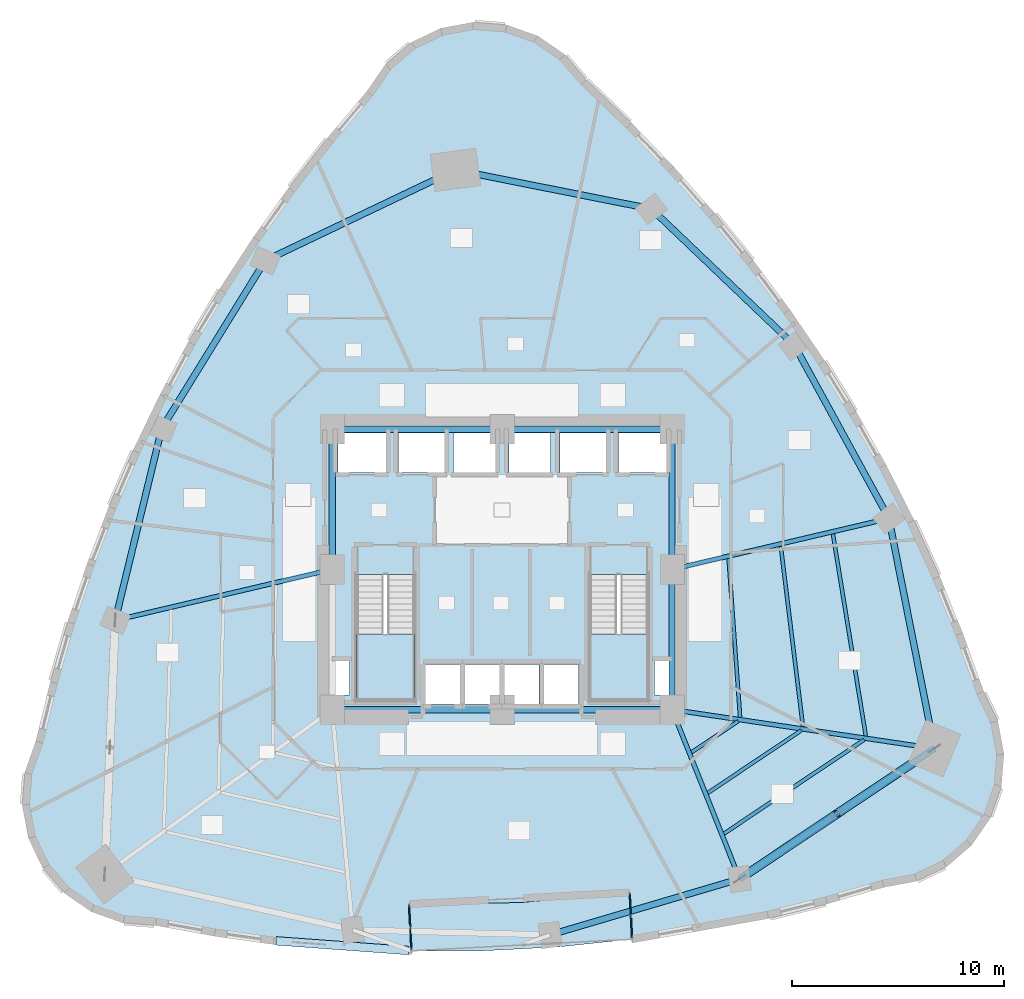
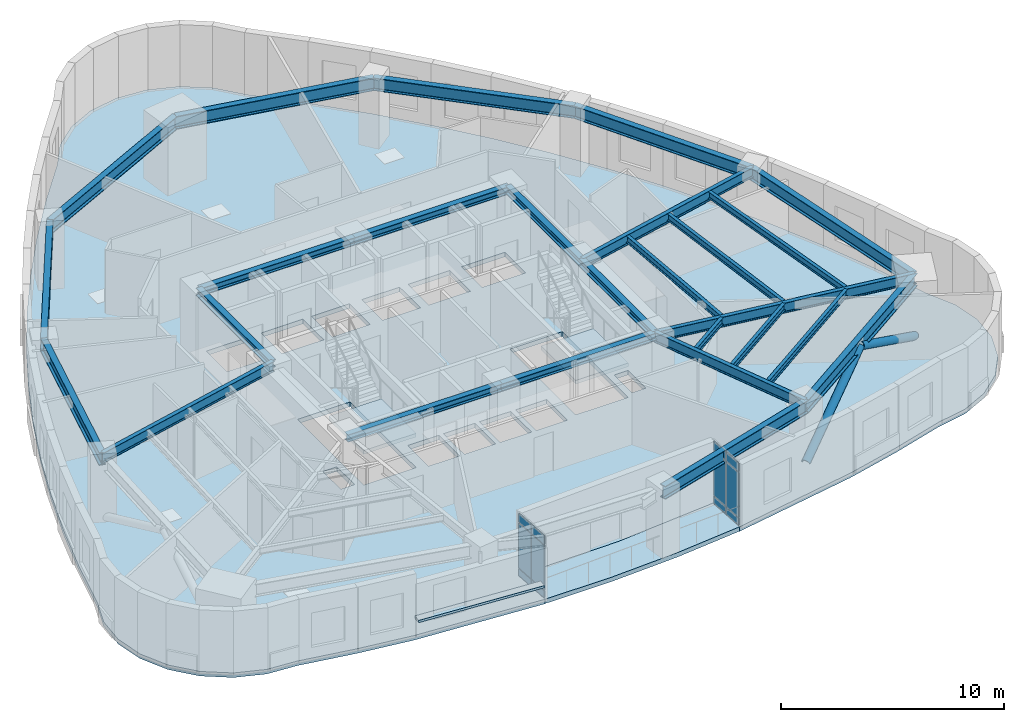
# One storey, part 3 of 11: 26 beams, 13 plates, 4 slabs, 2 members, 4 elements without a shape of their own.
"""IFC4 building model written with IfcOpenShell, lengths in metres."""

import ifcopenshell
import ifcopenshell.guid

model = None  # the IFC model being written
_history = None  # IfcOwnerHistory: only IFC2X3 demands one
_inside = {}  # id of a spatial element -> (the spatial element, [elements in it])
_under = {}  # id of a project, library or spatial element -> (it, [spatial elements below it])
_declared = {}  # id of a project -> (the project, [libraries it declares])
_typed = {}  # id of a type object -> (the type object, [elements of that type])
_made_of = {}  # id of a material, layer set ... -> (it, [elements and type objects made of it])


def new_model(schema):
    """Start an empty IFC model of exactly this schema.

    Asked for "IFC4X3", IfcOpenShell would pick the latest addendum, in which some entities
    have other attributes; the version numbers below select the first issue.
    IFC2X3 requires an IfcOwnerHistory on every rooted entity: one is made here for all.
    """
    global model, _history
    if schema == "IFC4X3":
        model = ifcopenshell.file(schema_version=(4, 3, 0, 0))
    else:
        model = ifcopenshell.file(schema=schema)
    _inside.clear()
    _under.clear()
    _declared.clear()
    _typed.clear()
    _made_of.clear()
    _history = None
    if model.schema == "IFC2X3":
        org = make("IfcOrganization", Name="unknown")
        user = make(
            "IfcPersonAndOrganization",
            ThePerson=make("IfcPerson", FamilyName="unknown"),
            TheOrganization=org,
        )
        app = make(
            "IfcApplication",
            ApplicationDeveloper=org,
            Version="unknown",
            ApplicationFullName="unknown",
            ApplicationIdentifier="unknown",
        )
        _history = make(
            "IfcOwnerHistory",
            OwningUser=user,
            OwningApplication=app,
            ChangeAction="ADDED",
            CreationDate=0,
        )
    return model


def make(cls, **values):
    """One entity of the class cls with the attributes given. An attribute that is None is left unset."""
    return model.create_entity(
        cls, **{name: value for name, value in values.items() if value is not None}
    )


def rooted(cls, **values):
    """An entity with a GlobalId (a new one), such as an element, a storey or a relation."""
    return make(cls, GlobalId=ifcopenshell.guid.new(), OwnerHistory=_history, **values)


def si_unit(unit_type, name, prefix=None):
    """IfcSIUnit, for example si_unit("LENGTHUNIT", "METRE", prefix="MILLI")."""
    return make("IfcSIUnit", UnitType=unit_type, Prefix=prefix, Name=name)


def assignment(units):
    """IfcUnitAssignment: the units of a project."""
    return None if units is None else make("IfcUnitAssignment", Units=units)


def point(xyz):
    """IfcCartesianPoint."""
    return None if xyz is None else make("IfcCartesianPoint", Coordinates=xyz)


def direction(xyz):
    """IfcDirection."""
    return None if xyz is None else make("IfcDirection", DirectionRatios=xyz)


def frame(location, z_axis=None, x_axis=None):
    """IfcAxis2Placement3D, a coordinate frame: its origin and axes. An axis left out is left unset."""
    return make(
        "IfcAxis2Placement3D",
        Location=point(location),
        Axis=direction(z_axis),
        RefDirection=direction(x_axis),
    )


def frame_2d(location, x_axis=None):
    """IfcAxis2Placement2D, a coordinate frame in the plane: its origin and x axis."""
    return make(
        "IfcAxis2Placement2D", Location=point(location), RefDirection=direction(x_axis)
    )


def origin():
    """The frame at (0, 0, 0) with its axes left unset."""
    return frame((0.0, 0.0, 0.0))


def origin_2d():
    """The frame at (0, 0) in the plane with its x axis left unset."""
    return frame_2d((0.0, 0.0))


def place(relative_to, where):
    """IfcLocalPlacement: puts the frame where relative to a parent placement (None: the world)."""
    return make(
        "IfcLocalPlacement", PlacementRelTo=relative_to, RelativePlacement=where
    )


def context(
    kind, dimensions, precision=None, world=None, true_north=None, identifier=None
):
    """IfcGeometricRepresentationContext, for example the 3D "Model" context."""
    return make(
        "IfcGeometricRepresentationContext",
        ContextIdentifier=identifier,
        ContextType=kind,
        CoordinateSpaceDimension=dimensions,
        Precision=precision,
        WorldCoordinateSystem=world,
        TrueNorth=true_north,
    )


def subcontext(parent, identifier, kind, view, scale=None):
    """IfcGeometricRepresentationSubContext, for example "Body" below "Model"."""
    return make(
        "IfcGeometricRepresentationSubContext",
        ContextIdentifier=identifier,
        ContextType=kind,
        ParentContext=parent,
        TargetScale=scale,
        TargetView=view,
    )


def project(units=None, contexts=None):
    """IfcProject with its units and contexts."""
    return rooted(
        "IfcProject",
        Name="project",
        RepresentationContexts=contexts,
        UnitsInContext=assignment(units),
    )


def spatial(cls, under=None, at=None, **own):
    """A site, building, storey or space (cls), placed at a placement, below another one or the project."""
    s = rooted(cls, ObjectPlacement=at, **own)
    if under is not None:
        _under.setdefault(under.id(), (under, []))[1].append(s)
    return s


def polyline(points):
    """IfcPolyline through the points."""
    return make("IfcPolyline", Points=[point(p) for p in points])


def profile(cls, at=None, kind="AREA", **sizes):
    """A parametric profile (cls). Its sizes go by their IFC names, for example OverallWidth=200.0."""
    return make(cls, ProfileType=kind, Position=at, **sizes)


def rectangle(**sizes):
    """IfcRectangleProfileDef."""
    return profile("IfcRectangleProfileDef", **sizes)


def hollow_circle(**sizes):
    """IfcCircleHollowProfileDef."""
    return profile("IfcCircleHollowProfileDef", **sizes)


def i_section(**sizes):
    """IfcIShapeProfileDef."""
    return profile("IfcIShapeProfileDef", **sizes)


def outline(outer, holes=None, kind="AREA"):
    """IfcArbitraryClosedProfileDef: a profile drawn as a closed curve; with holes, ...WithVoids."""
    if holes is None:
        return make("IfcArbitraryClosedProfileDef", ProfileType=kind, OuterCurve=outer)
    return make(
        "IfcArbitraryProfileDefWithVoids",
        ProfileType=kind,
        OuterCurve=outer,
        InnerCurves=holes,
    )


def extrude(swept, where, along, depth):
    """IfcExtrudedAreaSolid: the profile swept, set in the frame where, extruded along a direction by depth."""
    return make(
        "IfcExtrudedAreaSolid",
        SweptArea=swept,
        Position=where,
        ExtrudedDirection=direction(along),
        Depth=depth,
    )


def shape(context_of_items, identifier, shape_type, items):
    """IfcShapeRepresentation: the items that make up one representation, for example the "Body"."""
    return make(
        "IfcShapeRepresentation",
        ContextOfItems=context_of_items,
        RepresentationIdentifier=identifier,
        RepresentationType=shape_type,
        Items=items,
    )


def material(Name=None, Category=None):
    """IfcMaterial."""
    return make("IfcMaterial", Name=Name, Category=Category)


def layer(
    of_material, thickness, ventilated=None, Name=None, Category=None, Priority=None
):
    """IfcMaterialLayer: one layer of a wall or slab, of a material (None: an air gap)."""
    return make(
        "IfcMaterialLayer",
        Material=of_material,
        LayerThickness=thickness,
        IsVentilated=ventilated,
        Name=Name,
        Category=Category,
        Priority=Priority,
    )


def layer_set(layers, Name=None):
    """IfcMaterialLayerSet."""
    return make("IfcMaterialLayerSet", MaterialLayers=layers, LayerSetName=Name)


def material_profile(
    of_material, cross_section, Name=None, Category=None, Priority=None
):
    """IfcMaterialProfile: a cross section and its material."""
    return make(
        "IfcMaterialProfile",
        Name=Name,
        Material=of_material,
        Profile=cross_section,
        Priority=Priority,
        Category=Category,
    )


def profile_set(profiles, Name=None, composite=None):
    """IfcMaterialProfileSet."""
    return make(
        "IfcMaterialProfileSet",
        Name=Name,
        MaterialProfiles=profiles,
        CompositeProfile=composite,
    )


def made_of(thing, what):
    """Note that an element or type object is made of a material, layer set ...; save() writes the relation."""
    if what is not None:
        _made_of.setdefault(what.id(), (what, []))[1].append(thing)
    return thing


def type_object(cls, material=None, **own):
    """A type object (cls), such as IfcWallType, which elements share."""
    return made_of(rooted(cls, **own), material)


def element(
    cls,
    number,
    at=None,
    inside=None,
    cuts=None,
    type_object=None,
    material=None,
    context=None,
    identifier="Body",
    shape_type=None,
    held_by="IfcProductDefinitionShape",
    body=None,
    shapes=None,
    **own,
):
    """One element of the class cls, such as IfcWall. Its Tag is "e" and its number.

    at: its placement. inside: the storey or other place that contains it. cuts: it is an
    opening in that element (IfcRelVoidsElement). A single representation is given by context,
    identifier, shape_type and body (its items); several are given by shapes. held_by: the class
    of the entity that holds the representations. save() writes the other relations.
    """
    e = rooted(cls, Tag="e%d" % number, ObjectPlacement=at, **own)
    if body is not None:
        shapes = [shape(context, identifier, shape_type, body)]
    if shapes is not None:
        e.Representation = make(held_by, Representations=shapes)
    if inside is not None:
        _inside.setdefault(inside.id(), (inside, []))[1].append(e)
    if cuts is not None:
        rooted(
            "IfcRelVoidsElement", RelatingBuildingElement=cuts, RelatedOpeningElement=e
        )
    if type_object is not None:
        _typed.setdefault(type_object.id(), (type_object, []))[1].append(e)
    return made_of(e, material)


def aggregate(whole, parts):
    """IfcRelAggregates: a whole, such as a stair, and the parts it consists of."""
    return rooted("IfcRelAggregates", RelatingObject=whole, RelatedObjects=parts)


def save(model, path):
    """Write the relations noted so far, then the file.

    IfcRelAggregates (storeys below a building ...), IfcRelContainedInSpatialStructure (elements
    in a storey), IfcRelDefinesByType, IfcRelAssociatesMaterial and IfcRelDeclares: one each for
    every whole, place, type object, material and project.
    """
    for whole, parts in _under.values():
        aggregate(whole, parts)
    for where, things in _inside.values():
        rooted(
            "IfcRelContainedInSpatialStructure",
            RelatedElements=things,
            RelatingStructure=where,
        )
    for kind, things in _typed.values():
        rooted("IfcRelDefinesByType", RelatedObjects=things, RelatingType=kind)
    for what, things in _made_of.values():
        rooted("IfcRelAssociatesMaterial", RelatedObjects=things, RelatingMaterial=what)
    for by, libraries in _declared.values():
        rooted("IfcRelDeclares", RelatingContext=by, RelatedDefinitions=libraries)
    model.write(path)


model = new_model("IFC4")

# Units and contexts
model_context = context("Model", 3, precision=1e-05, world=origin(), true_north=direction((0.0, 1.0)))
body_context = subcontext(model_context, "Body", "Model", "MODEL_VIEW")
ifc_project = project(units=[si_unit("LENGTHUNIT", "METRE"), si_unit("AREAUNIT", "SQUARE_METRE"), si_unit("VOLUMEUNIT", "CUBIC_METRE"), si_unit("PLANEANGLEUNIT", "RADIAN"), si_unit("MASSUNIT", "GRAM", prefix="KILO")], contexts=[model_context])

# Site, building, storey
site_placement = place(None, origin())
site = spatial("IfcSite", under=ifc_project, at=site_placement, CompositionType="ELEMENT")
building_placement = place(site_placement, origin())
building = spatial("IfcBuilding", under=site, at=building_placement, Name="Ndelora Gate Hotel", CompositionType="ELEMENT")
storey_placement = place(building_placement, frame((0.0, 0.0, 49.25)))
storey = spatial("IfcBuildingStorey", under=building, at=storey_placement, Name="L11", CompositionType="ELEMENT", Elevation=49.25)

# Beams
ifc_material_1 = material(Name="Steel S355", Category="steel")
ifc_material_profile_1 = material_profile(ifc_material_1, i_section(OverallWidth=0.300048828125, OverallDepth=0.39990234375, WebThickness=0.013427734375, FlangeThickness=0.02392578125, FilletRadius=0.027099609375, at=origin_2d()), Name="HEB 400")
ifc_profile_set_1 = profile_set([ifc_material_profile_1], Name="Steel S355")
beam_type_1 = type_object("IfcBeamType", Name="BM-CORE-400", PredefinedType="BEAM", material=ifc_profile_set_1)
for number, where, z_axis, x_axis, name in (
    (1, (-8.0, 6.60009765625, 3.300048828125), (1.0, 0.0, 0.0), (0.0, 1.0, 0.0), "L11 Core Tie Girder CC7-CC6"),
    (2, (0.0, 6.60009765625, 3.300048828125), (1.0, 0.0, 0.0), (0.0, 1.0, 0.0), "L11 Core Tie Girder CC6-CC5"),
):
    element("IfcBeam", number, at=place(storey_placement, frame(where, z_axis=z_axis, x_axis=x_axis)), inside=storey, type_object=beam_type_1, Name=name, PredefinedType="BEAM", context=body_context, shape_type="SweptSolid", body=[
        extrude(i_section(OverallWidth=0.300048828125, OverallDepth=0.39990234375, WebThickness=0.013427734375, FlangeThickness=0.02392578125, FilletRadius=0.027099609375, at=origin_2d()), origin(), (0.0, 0.0, 1.0), 8.0),
    ])
for number, where, z_axis, x_axis, name in (
    (3, (-8.0, 0.0, 3.300048828125), (0.0, 1.0, 0.0), (-1.0, 0.0, 0.0), "L11 Core Tie Girder CC8-CC7"),
    (4, (8.0, -6.60009765625, 3.300048828125), (0.0, 1.0, 0.0), (-1.0, 0.0, 0.0), "L11 Core Tie Girder CC3-CC4"),
    (5, (8.0, 0.0, 3.300048828125), (0.0, 1.0, 0.0), (-1.0, 0.0, 0.0), "L11 Core Tie Girder CC4-CC5"),
):
    element("IfcBeam", number, at=place(storey_placement, frame(where, z_axis=z_axis, x_axis=x_axis)), inside=storey, type_object=beam_type_1, Name=name, PredefinedType="BEAM", context=body_context, shape_type="SweptSolid", body=[
        extrude(i_section(OverallWidth=0.300048828125, OverallDepth=0.39990234375, WebThickness=0.013427734375, FlangeThickness=0.02392578125, FilletRadius=0.027099609375, at=origin_2d()), origin(), (0.0, 0.0, 1.0), 6.60009765625),
    ])
for number, where, z_axis, x_axis, name in (
    (6, (-8.0, -6.60009765625, 3.300048828125), (1.0, 0.0, 0.0), (0.0, 1.0, 0.0), "L11 Core Tie Girder CC1-CC2"),
    (7, (0.0, -6.60009765625, 3.300048828125), (1.0, 0.0, 0.0), (0.0, 1.0, 0.0), "L11 Core Tie Girder CC2-CC3"),
):
    element("IfcBeam", number, at=place(storey_placement, frame(where, z_axis=z_axis, x_axis=x_axis)), inside=storey, type_object=beam_type_1, Name=name, PredefinedType="BEAM", context=body_context, shape_type="SweptSolid", body=[
        extrude(i_section(OverallWidth=0.300048828125, OverallDepth=0.39990234375, WebThickness=0.013427734375, FlangeThickness=0.02392578125, FilletRadius=0.027099609375, at=origin_2d()), origin(), (0.0, 0.0, 1.0), 8.0),
    ])
ifc_material_profile_2 = material_profile(ifc_material_1, i_section(OverallWidth=0.169921875, OverallDepth=0.360107421875, WebThickness=0.008056640625, FlangeThickness=0.0126953125, FilletRadius=0.01806640625, at=origin_2d()), Name="IPE 360")
ifc_profile_set_2 = profile_set([ifc_material_profile_2], Name="Steel S355")
beam_type_2 = type_object("IfcBeamType", Name="BM-JST-360", PredefinedType="JOIST", material=ifc_profile_set_2)
beam_1_placement = place(storey_placement, frame((8.922119140625, -8.608154296875, 3.320068359375), z_axis=(0.830952990267, 0.556342635402, 0.0), x_axis=(-0.556342635402, 0.830952990267, 0.0)))
element("IfcBeam", 8, at=beam_1_placement, inside=storey, type_object=beam_type_2, Name="L11 Secondary Composite Floor Joist IN-8", PredefinedType="JOIST", context=body_context, shape_type="SweptSolid", body=[
    extrude(i_section(OverallWidth=0.169921875, OverallDepth=0.360107421875, WebThickness=0.008056640625, FlangeThickness=0.0126953125, FilletRadius=0.01806640625, at=origin_2d()), origin(), (0.0, 0.0, 1.0), 2.6396484375),
])
beam_2_placement = place(storey_placement, frame((9.685302734375, -10.520751953125, 3.320068359375), z_axis=(0.83093347578, 0.556371781121, 0.0), x_axis=(-0.556371781121, 0.83093347578, 0.0)))
element("IfcBeam", 9, at=beam_2_placement, inside=storey, type_object=beam_type_2, Name="L11 Secondary Composite Floor Joist MID-8", PredefinedType="JOIST", context=body_context, shape_type="SweptSolid", body=[
    extrude(i_section(OverallWidth=0.169921875, OverallDepth=0.360107421875, WebThickness=0.008056640625, FlangeThickness=0.0126953125, FilletRadius=0.01806640625, at=origin_2d()), origin(), (0.0, 0.0, 1.0), 5.2880859375),
])
beam_3_placement = place(storey_placement, frame((10.448486328125, -12.433349609375, 3.320068359375), z_axis=(0.830936507521, 0.556367253231, 0.0), x_axis=(-0.556367253231, 0.830936507521, 0.0)))
element("IfcBeam", 10, at=beam_3_placement, inside=storey, type_object=beam_type_2, Name="L11 Secondary Composite Floor Joist OUT-8", PredefinedType="JOIST", context=body_context, shape_type="SweptSolid", body=[
    extrude(i_section(OverallWidth=0.169921875, OverallDepth=0.360107421875, WebThickness=0.008056640625, FlangeThickness=0.0126953125, FilletRadius=0.01806640625, at=origin_2d()), origin(), (0.0, 0.0, 1.0), 7.936767578125),
])
beam_4_placement = place(storey_placement, frame((11.20263671875, -6.9609375, 3.320068359375), z_axis=(-0.072176031603, 0.997391909162, 0.0), x_axis=(-0.997391909162, -0.072176031603, 0.0)))
element("IfcBeam", 11, at=beam_4_placement, inside=storey, type_object=beam_type_2, Name="L11 Secondary Composite Floor Joist IN-9", PredefinedType="JOIST", context=body_context, shape_type="SweptSolid", body=[
    extrude(i_section(OverallWidth=0.169921875, OverallDepth=0.360107421875, WebThickness=0.008056640625, FlangeThickness=0.0126953125, FilletRadius=0.01806640625, at=origin_2d()), origin(), (0.0, 0.0, 1.0), 7.489013671875),
])
beam_5_placement = place(storey_placement, frame((14.160888671875, -7.400390625, 3.320068359375), z_axis=(-0.122030984704, 0.992526291225, 0.0), x_axis=(-0.992526291225, -0.122030984704, 0.0)))
element("IfcBeam", 12, at=beam_5_placement, inside=storey, type_object=beam_type_2, Name="L11 Secondary Composite Floor Joist MID-9", PredefinedType="JOIST", context=body_context, shape_type="SweptSolid", body=[
    extrude(i_section(OverallWidth=0.169921875, OverallDepth=0.360107421875, WebThickness=0.008056640625, FlangeThickness=0.0126953125, FilletRadius=0.01806640625, at=origin_2d()), origin(), (0.0, 0.0, 1.0), 8.548828125),
])
beam_6_placement = place(storey_placement, frame((17.12060546875, -7.840087890625, 3.320068359375), z_axis=(-0.160901992796, 0.986970388975, 0.0), x_axis=(-0.986970388975, -0.160901992796, 0.0)))
element("IfcBeam", 13, at=beam_6_placement, inside=storey, type_object=beam_type_2, Name="L11 Secondary Composite Floor Joist OUT-9", PredefinedType="JOIST", context=body_context, shape_type="SweptSolid", body=[
    extrude(i_section(OverallWidth=0.169921875, OverallDepth=0.360107421875, WebThickness=0.008056640625, FlangeThickness=0.0126953125, FilletRadius=0.01806640625, at=origin_2d()), origin(), (0.0, 0.0, 1.0), 9.6259765625),
])
ifc_material_profile_3 = material_profile(ifc_material_1, i_section(OverallWidth=0.2099609375, OverallDepth=0.550048828125, WebThickness=0.010986328125, FlangeThickness=0.01708984375, FilletRadius=0.02392578125, at=origin_2d()), Name="IPE 550")
ifc_profile_set_3 = profile_set([ifc_material_profile_3], Name="Steel S355")
beam_type_3 = type_object("IfcBeamType", Name="BM-RAD-550", PredefinedType="BEAM", material=ifc_profile_set_3)
beam_7_placement = place(storey_placement, frame((-8.0, 0.0, 3.22509765625), z_axis=(-0.973517848051, -0.22861102232, 0.0), x_axis=(0.22861102232, -0.973517848051, 0.0)))
element("IfcBeam", 14, at=beam_7_placement, inside=storey, type_object=beam_type_3, Name="L11 Radial Floor Girder 4", PredefinedType="BEAM", context=body_context, shape_type="SweptSolid", body=[
    extrude(i_section(OverallWidth=0.2099609375, OverallDepth=0.550048828125, WebThickness=0.010986328125, FlangeThickness=0.01708984375, FilletRadius=0.02392578125, at=origin_2d()), origin(), (0.0, 0.0, 1.0), 10.48486328125),
])
beam_8_placement = place(storey_placement, frame((8.0, -6.60009765625, 3.22509765625), z_axis=(0.37056142644, -0.92880796144, 0.0), x_axis=(0.92880796144, 0.37056142644, 0.0)))
element("IfcBeam", 15, at=beam_8_placement, inside=storey, type_object=beam_type_3, Name="L11 Radial Floor Girder 8", PredefinedType="BEAM", context=body_context, shape_type="SweptSolid", body=[
    extrude(i_section(OverallWidth=0.2099609375, OverallDepth=0.550048828125, WebThickness=0.010986328125, FlangeThickness=0.01708984375, FilletRadius=0.02392578125, at=origin_2d()), origin(), (0.0, 0.0, 1.0), 8.580078125),
])
beam_9_placement = place(storey_placement, frame((8.0, -6.60009765625, 3.22509765625), z_axis=(0.989209761041, -0.146506138649, 0.0), x_axis=(0.146506138649, 0.989209761041, 0.0)))
element("IfcBeam", 16, at=beam_9_placement, inside=storey, type_object=beam_type_3, Name="L11 Radial Floor Girder 9", PredefinedType="BEAM", context=body_context, shape_type="SweptSolid", body=[
    extrude(i_section(OverallWidth=0.2099609375, OverallDepth=0.550048828125, WebThickness=0.010986328125, FlangeThickness=0.01708984375, FilletRadius=0.02392578125, at=origin_2d()), origin(), (0.0, 0.0, 1.0), 12.48486328125),
])
beam_10_placement = place(storey_placement, frame((8.0, 0.0, 3.22509765625), z_axis=(0.973517848051, 0.22861102232, 0.0), x_axis=(-0.22861102232, 0.973517848051, 0.0)))
element("IfcBeam", 17, at=beam_10_placement, inside=storey, type_object=beam_type_3, Name="L11 Radial Floor Girder 10", PredefinedType="BEAM", context=body_context, shape_type="SweptSolid", body=[
    extrude(i_section(OverallWidth=0.2099609375, OverallDepth=0.550048828125, WebThickness=0.010986328125, FlangeThickness=0.01708984375, FilletRadius=0.02392578125, at=origin_2d()), origin(), (0.0, 0.0, 1.0), 10.48486328125),
])
ifc_material_profile_4 = material_profile(ifc_material_1, i_section(OverallWidth=0.300048828125, OverallDepth=0.699951171875, WebThickness=0.01708984375, FlangeThickness=0.031982421875, FilletRadius=0.027099609375, at=origin_2d()), Name="HEB 700")
ifc_profile_set_4 = profile_set([ifc_material_profile_4], Name="Steel S355")
beam_type_4 = type_object("IfcBeamType", Name="BM-RING-700", PredefinedType="SPANDREL", material=ifc_profile_set_4)
beam_11_placement = place(storey_placement, frame((-2.199951171875, 18.800048828125, 3.14990234375), z_axis=(-0.902476034566, -0.43074006899, 0.0), x_axis=(0.43074006899, -0.902476034566, 0.0)))
element("IfcBeam", 18, at=beam_11_placement, inside=storey, type_object=beam_type_4, Name="L11 Perimeter Spandrel Girder 1", PredefinedType="SPANDREL", context=body_context, shape_type="SweptSolid", body=[
    extrude(i_section(OverallWidth=0.300048828125, OverallDepth=0.699951171875, WebThickness=0.01708984375, FlangeThickness=0.031982421875, FilletRadius=0.027099609375, at=origin_2d()), origin(), (0.0, 0.0, 1.0), 9.91552734375),
])
beam_12_placement = place(storey_placement, frame((-11.1484375, 14.529052734375, 3.14990234375), z_axis=(-0.524897602516, -0.851165381623, 0.0), x_axis=(0.851165381623, -0.524897602516, 0.0)))
element("IfcBeam", 19, at=beam_12_placement, inside=storey, type_object=beam_type_4, Name="L11 Perimeter Spandrel Girder 2", PredefinedType="SPANDREL", context=body_context, shape_type="SweptSolid", body=[
    extrude(i_section(OverallWidth=0.300048828125, OverallDepth=0.699951171875, WebThickness=0.01708984375, FlangeThickness=0.031982421875, FilletRadius=0.027099609375, at=origin_2d()), origin(), (0.0, 0.0, 1.0), 9.27490234375),
])
beam_13_placement = place(storey_placement, frame((-16.016845703125, 6.634521484375, 3.14990234375), z_axis=(-0.235699273714, -0.971826040179, 0.0), x_axis=(0.971826040179, -0.235699273714, 0.0)))
element("IfcBeam", 20, at=beam_13_placement, inside=storey, type_object=beam_type_4, Name="L11 Perimeter Spandrel Girder 3", PredefinedType="SPANDREL", context=body_context, shape_type="SweptSolid", body=[
    extrude(i_section(OverallWidth=0.300048828125, OverallDepth=0.699951171875, WebThickness=0.01708984375, FlangeThickness=0.031982421875, FilletRadius=0.027099609375, at=origin_2d()), origin(), (0.0, 0.0, 1.0), 9.293212890625),
])
beam_14_placement = place(storey_placement, frame((2.2646484375, -17.20166015625, 3.14990234375), z_axis=(0.959064248316, 0.283188572514, 0.0), x_axis=(-0.283188572514, 0.959064248316, 0.0)))
element("IfcBeam", 21, at=beam_14_placement, inside=storey, type_object=beam_type_4, Name="L11 Perimeter Spandrel Girder 7", PredefinedType="SPANDREL", context=body_context, shape_type="SweptSolid", body=[
    extrude(i_section(OverallWidth=0.300048828125, OverallDepth=0.699951171875, WebThickness=0.01708984375, FlangeThickness=0.031982421875, FilletRadius=0.027099609375, at=origin_2d()), origin(), (0.0, 0.0, 1.0), 9.29541015625),
])
beam_15_placement = place(storey_placement, frame((11.179443359375, -14.5693359375, 3.14990234375), z_axis=(0.830945983886, 0.556353099985, 0.0), x_axis=(-0.556353099985, 0.830945983886, 0.0)))
element("IfcBeam", 22, at=beam_15_placement, inside=storey, type_object=beam_type_4, Name="L11 Perimeter Spandrel Girder 8", PredefinedType="SPANDREL", context=body_context, shape_type="SweptSolid", body=[
    extrude(i_section(OverallWidth=0.300048828125, OverallDepth=0.699951171875, WebThickness=0.01708984375, FlangeThickness=0.031982421875, FilletRadius=0.027099609375, at=origin_2d()), origin(), (0.0, 0.0, 1.0), 11.036376953125),
])
beam_16_placement = place(storey_placement, frame((20.35009765625, -8.42919921875, 3.14990234375), z_axis=(-0.194163071691, 0.980969266385, 0.0), x_axis=(-0.980969266385, -0.194163071691, 0.0)))
element("IfcBeam", 23, at=beam_16_placement, inside=storey, type_object=beam_type_4, Name="L11 Perimeter Spandrel Girder 9", PredefinedType="SPANDREL", context=body_context, shape_type="SweptSolid", body=[
    extrude(i_section(OverallWidth=0.300048828125, OverallDepth=0.699951171875, WebThickness=0.01708984375, FlangeThickness=0.031982421875, FilletRadius=0.027099609375, at=origin_2d()), origin(), (0.0, 0.0, 1.0), 11.0361328125),
])
for number, where, z_axis, x_axis, name in (
    (24, (18.207275390625, 2.39697265625, 3.14990234375), (-0.479203651005, 0.87770374322, 0.0), (-0.87770374322, -0.479203651005, 0.0), "L11 Perimeter Spandrel Girder 10"),
    (25, (13.75390625, 10.5537109375, 3.14990234375), (-0.723784227769, 0.690026370244, 0.0), (-0.690026370244, -0.723784227769, 0.0), "L11 Perimeter Spandrel Girder 11"),
):
    element("IfcBeam", number, at=place(storey_placement, frame(where, z_axis=z_axis, x_axis=x_axis)), inside=storey, type_object=beam_type_4, Name=name, PredefinedType="SPANDREL", context=body_context, shape_type="SweptSolid", body=[
        extrude(i_section(OverallWidth=0.300048828125, OverallDepth=0.699951171875, WebThickness=0.01708984375, FlangeThickness=0.031982421875, FilletRadius=0.027099609375, at=origin_2d()), origin(), (0.0, 0.0, 1.0), 9.293212890625),
    ])
beam_17_placement = place(storey_placement, frame((7.027587890625, 16.96630859375, 3.14990234375), z_axis=(-0.980820478164, 0.194913287424, 0.0), x_axis=(-0.194913287424, -0.980820478164, 0.0)))
element("IfcBeam", 26, at=beam_17_placement, inside=storey, type_object=beam_type_4, Name="L11 Perimeter Spandrel Girder 12", PredefinedType="SPANDREL", context=body_context, shape_type="SweptSolid", body=[
    extrude(i_section(OverallWidth=0.300048828125, OverallDepth=0.699951171875, WebThickness=0.01708984375, FlangeThickness=0.031982421875, FilletRadius=0.027099609375, at=origin_2d()), origin(), (0.0, 0.0, 1.0), 9.407958984375),
])

# Members
ifc_material_profile_5 = material_profile(ifc_material_1, hollow_circle(Radius=0.202880859375, WallThickness=0.02001953125, at=origin_2d()), Name="CHS 406x20")
ifc_profile_set_5 = profile_set([ifc_material_profile_5], Name="Steel S355")
member_type = type_object("IfcMemberType", Name="MB-TUBE-406", PredefinedType="BRACE", material=ifc_profile_set_5)
for number, where, z_axis, x_axis, name in (
    (27, (11.179443359375, -14.5693359375, 0.02001953125), (0.73391932444, 0.491376610842, 0.468947173496), (-0.556342873424, 0.830952830906, 0.0), "L11 Perimeter Braced-Tube Diagonal 8A"),
    (28, (20.35009765625, -8.42919921875, 0.02001953125), (-0.733901295617, -0.491390702965, 0.468960622368), (0.556363326838, -0.830939136489, 0.0), "L11 Perimeter Braced-Tube Diagonal 8B"),
):
    element("IfcMember", number, at=place(storey_placement, frame(where, z_axis=z_axis, x_axis=x_axis)), inside=storey, type_object=member_type, Name=name, PredefinedType="BRACE", context=body_context, shape_type="SweptSolid", body=[
        extrude(hollow_circle(Radius=0.202880859375, WallThickness=0.02001953125, at=origin_2d()), origin(), (0.0, 0.0, 1.0), 6.247802734375),
    ])

# Curtain wall, plates
ifc_material_2 = material(Name="Bronze Anodised Unitised Aluminium and Low-E Glass", Category="aluminium")
ifc_layer_1 = layer(ifc_material_2, 0.199951171875)
ifc_layer_set_1 = layer_set([ifc_layer_1], Name="Bronze Anodised Unitised Aluminium and Low-E Glass")
curtain_wall_type = type_object("IfcCurtainWallType", Name="CW-SYS-3", PredefinedType="NOTDEFINED", material=ifc_layer_set_1)
curtain_wall_1_placement = place(storey_placement, origin())
curtain_wall_1 = element("IfcCurtainWall", 29, at=curtain_wall_1_placement, inside=storey, type_object=curtain_wall_type, Name="L11 Sky-Garden Loggia Side Curtain Wall CW3-1", PredefinedType="NOTDEFINED")
ifc_material_3 = material(Name="Solar-Control Low-E Insulated Glazing", Category="glass")
ifc_layer_2 = layer(ifc_material_3, 0.048095703125)
ifc_layer_set_2 = layer_set([ifc_layer_2], Name="Solar-Control Low-E Insulated Glazing")
plate_type_1 = type_object("IfcPlateType", Name="PL-CW-GLZ36", PredefinedType="CURTAIN_PANEL", material=ifc_layer_set_2)
plate_1_placement = place(storey_placement, frame((-4.35205078125, -16.318115234375, 0.05908203125), z_axis=(0.0, 0.0, 1.0), x_axis=(0.052363203389, -0.998628106419, 0.0)))
plate_1 = element("IfcPlate", 30, at=plate_1_placement, type_object=plate_type_1, Name="CW3 panel 1.1", PredefinedType="CURTAIN_PANEL", context=body_context, shape_type="SweptSolid", body=[
    extrude(rectangle(XDim=1.014404296875, YDim=0.048095703125, at=origin_2d()), origin(), (0.0, 0.0, 1.0), 0.364501953125),
])
plate_2_placement = place(storey_placement, frame((-4.35205078125, -16.318115234375, 0.4765625), z_axis=(0.0, 0.0, 1.0), x_axis=(0.052363203389, -0.998628106419, 0.0)))
plate_2 = element("IfcPlate", 31, at=plate_2_placement, type_object=plate_type_1, Name="CW3 panel 1.2", PredefinedType="CURTAIN_PANEL", context=body_context, shape_type="SweptSolid", body=[
    extrude(rectangle(XDim=1.014404296875, YDim=0.048095703125, at=origin_2d()), origin(), (0.0, 0.0, 1.0), 2.447021484375),
])
plate_3_placement = place(storey_placement, frame((-4.35205078125, -16.318115234375, 2.9765625), z_axis=(0.0, 0.0, 1.0), x_axis=(0.052363203389, -0.998628106419, 0.0)))
plate_3 = element("IfcPlate", 32, at=plate_3_placement, type_object=plate_type_1, Name="CW3 panel 1.3", PredefinedType="CURTAIN_PANEL", context=body_context, shape_type="SweptSolid", body=[
    extrude(rectangle(XDim=1.014404296875, YDim=0.048095703125, at=origin_2d()), origin(), (0.0, 0.0, 1.0), 0.464599609375),
])
plate_4_placement = place(storey_placement, frame((-4.296142578125, -17.38427734375, 0.05908203125), z_axis=(0.0, 0.0, 1.0), x_axis=(0.052363203389, -0.998628106419, 0.0)))
plate_4 = element("IfcPlate", 33, at=plate_4_placement, type_object=plate_type_1, Name="CW3 panel 2.1", PredefinedType="CURTAIN_PANEL", context=body_context, shape_type="SweptSolid", body=[
    extrude(rectangle(XDim=1.014404296875, YDim=0.048095703125, at=origin_2d()), origin(), (0.0, 0.0, 1.0), 0.364501953125),
])
plate_5_placement = place(storey_placement, frame((-4.296142578125, -17.38427734375, 0.4765625), z_axis=(0.0, 0.0, 1.0), x_axis=(0.052363203389, -0.998628106419, 0.0)))
plate_5 = element("IfcPlate", 34, at=plate_5_placement, type_object=plate_type_1, Name="CW3 panel 2.2", PredefinedType="CURTAIN_PANEL", context=body_context, shape_type="SweptSolid", body=[
    extrude(rectangle(XDim=1.014404296875, YDim=0.048095703125, at=origin_2d()), origin(), (0.0, 0.0, 1.0), 2.447021484375),
])
plate_6_placement = place(storey_placement, frame((-4.296142578125, -17.38427734375, 2.9765625), z_axis=(0.0, 0.0, 1.0), x_axis=(0.052363203389, -0.998628106419, 0.0)))
plate_6 = element("IfcPlate", 35, at=plate_6_placement, type_object=plate_type_1, Name="CW3 panel 2.3", PredefinedType="CURTAIN_PANEL", context=body_context, shape_type="SweptSolid", body=[
    extrude(rectangle(XDim=1.014404296875, YDim=0.048095703125, at=origin_2d()), origin(), (0.0, 0.0, 1.0), 0.464599609375),
])
aggregate(curtain_wall_1, [plate_1, plate_2, plate_3, plate_4, plate_5, plate_6])

curtain_wall_2_placement = place(storey_placement, origin())
curtain_wall_2 = element("IfcCurtainWall", 36, at=curtain_wall_2_placement, inside=storey, type_object=curtain_wall_type, Name="L11 Sky-Garden Loggia Side Curtain Wall CW3-2", PredefinedType="NOTDEFINED")
plate_7_placement = place(storey_placement, frame((6.089599609375, -16.83984375, 0.05908203125), z_axis=(0.0, 0.0, 1.0), x_axis=(-0.052317873695, 0.998630482257, 0.0)))
plate_7 = element("IfcPlate", 37, at=plate_7_placement, type_object=plate_type_1, Name="CW3 panel 1.1", PredefinedType="CURTAIN_PANEL", context=body_context, shape_type="SweptSolid", body=[
    extrude(rectangle(XDim=1.014404296875, YDim=0.048095703125, at=origin_2d()), origin(), (0.0, 0.0, 1.0), 0.364501953125),
])
plate_8_placement = place(storey_placement, frame((6.089599609375, -16.83984375, 0.4765625), z_axis=(0.0, 0.0, 1.0), x_axis=(-0.052317873695, 0.998630482257, 0.0)))
plate_8 = element("IfcPlate", 38, at=plate_8_placement, type_object=plate_type_1, Name="CW3 panel 1.2", PredefinedType="CURTAIN_PANEL", context=body_context, shape_type="SweptSolid", body=[
    extrude(rectangle(XDim=1.014404296875, YDim=0.048095703125, at=origin_2d()), origin(), (0.0, 0.0, 1.0), 2.447021484375),
])
plate_9_placement = place(storey_placement, frame((6.089599609375, -16.83984375, 2.9765625), z_axis=(0.0, 0.0, 1.0), x_axis=(-0.052317873695, 0.998630482257, 0.0)))
plate_9 = element("IfcPlate", 39, at=plate_9_placement, type_object=plate_type_1, Name="CW3 panel 1.3", PredefinedType="CURTAIN_PANEL", context=body_context, shape_type="SweptSolid", body=[
    extrude(rectangle(XDim=1.014404296875, YDim=0.048095703125, at=origin_2d()), origin(), (0.0, 0.0, 1.0), 0.464599609375),
])
plate_10_placement = place(storey_placement, frame((6.033935546875, -15.77392578125, 0.05908203125), z_axis=(0.0, 0.0, 1.0), x_axis=(-0.052317873695, 0.998630482257, 0.0)))
plate_10 = element("IfcPlate", 40, at=plate_10_placement, type_object=plate_type_1, Name="CW3 panel 2.1", PredefinedType="CURTAIN_PANEL", context=body_context, shape_type="SweptSolid", body=[
    extrude(rectangle(XDim=1.014404296875, YDim=0.048095703125, at=origin_2d()), origin(), (0.0, 0.0, 1.0), 0.364501953125),
])
plate_11_placement = place(storey_placement, frame((6.033935546875, -15.77392578125, 0.4765625), z_axis=(0.0, 0.0, 1.0), x_axis=(-0.052317873695, 0.998630482257, 0.0)))
plate_11 = element("IfcPlate", 41, at=plate_11_placement, type_object=plate_type_1, Name="CW3 panel 2.2", PredefinedType="CURTAIN_PANEL", context=body_context, shape_type="SweptSolid", body=[
    extrude(rectangle(XDim=1.014404296875, YDim=0.048095703125, at=origin_2d()), origin(), (0.0, 0.0, 1.0), 2.447021484375),
])
plate_12_placement = place(storey_placement, frame((6.033935546875, -15.77392578125, 2.9765625), z_axis=(0.0, 0.0, 1.0), x_axis=(-0.052317873695, 0.998630482257, 0.0)))
plate_12 = element("IfcPlate", 42, at=plate_12_placement, type_object=plate_type_1, Name="CW3 panel 2.3", PredefinedType="CURTAIN_PANEL", context=body_context, shape_type="SweptSolid", body=[
    extrude(rectangle(XDim=1.014404296875, YDim=0.048095703125, at=origin_2d()), origin(), (0.0, 0.0, 1.0), 0.464599609375),
])
aggregate(curtain_wall_2, [plate_7, plate_8, plate_9, plate_10, plate_11, plate_12])

# Plate
ifc_material_4 = material(Name="Precast concrete C40/50", Category="concrete")
ifc_layer_3 = layer(ifc_material_4, 0.125)
ifc_layer_set_3 = layer_set([ifc_layer_3], Name="Precast concrete C40/50")
plate_type_2 = type_object("IfcPlateType", Name="PL-SILL-120", PredefinedType="USERDEFINED", material=ifc_layer_set_3)
plate_13_placement = place(storey_placement, frame((-7.515625, -17.7119140625, 0.78759765625), z_axis=(0.0, 0.0, 1.0), x_axis=(-0.997327244511, 0.0730641318, 0.0)))
element("IfcPlate", 43, at=plate_13_placement, inside=storey, type_object=plate_type_2, Name="L11 Streamline Precast Ribbon Sill 31", ObjectType="RIBBON_SILL", PredefinedType="USERDEFINED", context=body_context, shape_type="SweptSolid", body=[
    extrude(rectangle(XDim=6.26611328125, YDim=0.39990234375, at=origin_2d()), origin(), (0.0, 0.0, 1.0), 0.125),
])

# Stair, slab
stair_type = type_object("IfcStairType", Name="STR-DOG-CORE", PredefinedType="HALF_TURN_STAIR", material=ifc_material_4)
stair_1_placement = place(storey_placement, origin())
stair_1 = element("IfcStair", 44, at=stair_1_placement, inside=storey, type_object=stair_type, Name="L11 Protected Core Exit Stair ST4", PredefinedType="HALF_TURN_STAIR")
ifc_layer_4 = layer(ifc_material_4, 0.219970703125)
ifc_layer_set_4 = layer_set([ifc_layer_4], Name="Precast concrete C40/50")
slab_type_1 = type_object("IfcSlabType", Name="SL-LAND-220", PredefinedType="LANDING", material=ifc_layer_set_4)
slab_1_placement = place(storey_placement, frame((0.0, 0.0, 1.675048828125)))
slab_1 = element("IfcSlab", 45, at=slab_1_placement, type_object=slab_type_1, Name="ST4 landing 1", PredefinedType="LANDING", context=body_context, shape_type="SweptSolid", body=[
    extrude(outline(polyline([(-6.85009765625, -3.030029296875), (-6.85009765625, -6.14990234375), (-4.1298828125, -6.14990234375), (-4.1298828125, -3.030029296875), (-6.85009765625, -3.030029296875)])), origin(), (0.0, 0.0, 1.0), 0.199951171875),
])
aggregate(stair_1, [slab_1])

stair_2_placement = place(storey_placement, origin())
stair_2 = element("IfcStair", 46, at=stair_2_placement, inside=storey, type_object=stair_type, Name="L11 Protected Core Exit Stair ST5", PredefinedType="HALF_TURN_STAIR")
slab_2_placement = place(storey_placement, frame((0.0, 0.0, 1.675048828125)))
slab_2 = element("IfcSlab", 47, at=slab_2_placement, type_object=slab_type_1, Name="ST5 landing 1", PredefinedType="LANDING", context=body_context, shape_type="SweptSolid", body=[
    extrude(outline(polyline([(4.1298828125, -3.030029296875), (4.1298828125, -6.14990234375), (6.85009765625, -6.14990234375), (6.85009765625, -3.030029296875), (4.1298828125, -3.030029296875)])), origin(), (0.0, 0.0, 1.0), 0.199951171875),
])
aggregate(stair_2, [slab_2])

# Slabs
ifc_layer_5 = layer(ifc_material_4, 0.239990234375)
ifc_layer_set_5 = layer_set([ifc_layer_5], Name="Precast concrete C40/50")
slab_type_2 = type_object("IfcSlabType", Name="SL-TER-240", PredefinedType="FLOOR", material=ifc_layer_set_5)
slab_3_placement = place(storey_placement, frame((0.0, 0.0, -0.239990234375)))
element("IfcSlab", 48, at=slab_3_placement, inside=storey, type_object=slab_type_2, Name="L11 Sky Garden Loggia Terrace Slab", PredefinedType="FLOOR", context=body_context, shape_type="SweptSolid", body=[
    extrude(outline(polyline([(-4.381591796875, -15.752685546875), (-4.266357421875, -17.94970703125), (-0.829833984375, -17.948486328125), (2.701416015625, -17.763427734375), (6.119384765625, -17.405517578125), (6.004150390625, -15.20849609375), (0.822021484375, -15.682373046875), (-4.381591796875, -15.752685546875)])), origin(), (0.0, 0.0, 1.0), 0.239990234375),
])
ifc_material_5 = material(Name="Concrete C40/50", Category="concrete")
ifc_layer_6 = layer(ifc_material_5, 0.25)
ifc_layer_set_6 = layer_set([ifc_layer_6], Name="Concrete C40/50")
slab_type_3 = type_object("IfcSlabType", Name="SL-TWR-250", PredefinedType="FLOOR", material=ifc_layer_set_6)
slab_4_placement = place(storey_placement, frame((0.0, 0.0, -0.25)))
element("IfcSlab", 49, at=slab_4_placement, inside=storey, type_object=slab_type_3, Name="L11 Structural Floor Slab", PredefinedType="FLOOR", context=body_context, shape_type="SweptSolid", body=[
    extrude(outline(polyline([(3.82763671875, 22.939697265625), (2.84423828125, 24.0908203125), (1.596435546875, 24.948486328125), (0.169189453125, 25.4541015625), (-1.340087890625, 25.57275390625), (-2.8291015625, 25.296875), (-4.195556640625, 24.64501953125), (-5.346923828125, 23.66162109375), (-6.20458984375, 22.413818359375), (-8.101318359375, 20.171630859375), (-9.889404296875, 17.873779296875), (-11.568603515625, 15.520751953125), (-13.138916015625, 13.112060546875), (-14.60009765625, 10.64794921875), (-15.952392578125, 8.128173828125), (-17.196044921875, 5.552978515625), (-18.33056640625, 2.92236328125), (-19.3564453125, 0.236328125), (-20.273193359375, -2.50537109375), (-21.0810546875, -5.302490234375), (-21.780029296875, -8.155029296875), (-22.285400390625, -9.582275390625), (-22.404296875, -11.091796875), (-22.12841796875, -12.580322265625), (-21.4765625, -13.947021484375), (-20.4931640625, -15.098388671875), (-19.245361328125, -15.9560546875), (-17.818115234375, -16.46142578125), (-16.30859375, -16.580078125), (-13.533935546875, -17.083251953125), (-10.764892578125, -17.47412109375), (-4.266357421875, -17.94970703125), (-4.381591796875, -15.752685546875), (0.822021484375, -15.682373046875), (6.004150390625, -15.20849609375), (6.119384765625, -17.405517578125), (12.53271484375, -16.2529296875), (15.24560546875, -15.5751953125), (17.952392578125, -14.78466796875), (19.441162109375, -14.5087890625), (20.807861328125, -13.85693359375), (21.959228515625, -12.87353515625), (22.81689453125, -11.625732421875), (23.322265625, -10.198486328125), (23.44091796875, -8.68896484375), (23.1650390625, -7.2001953125), (22.51318359375, -5.833740234375), (21.52001953125, -3.06982421875), (20.424072265625, -0.37255859375), (19.2255859375, 2.25830078125), (17.9248046875, 4.822509765625), (16.521484375, 7.320068359375), (15.015380859375, 9.751220703125), (13.406982421875, 12.11572265625), (11.6962890625, 14.41357421875), (9.8828125, 16.64501953125), (7.966796875, 18.809814453125), (5.948486328125, 20.907958984375), (3.82763671875, 22.939697265625)]), holes=[polyline([(-6.85009765625, -0.22998046875), (-6.85009765625, -6.14990234375), (-4.1298828125, -6.14990234375), (-4.1298828125, -0.22998046875), (-6.85009765625, -0.22998046875)]), polyline([(4.1298828125, -0.22998046875), (4.1298828125, -6.14990234375), (6.85009765625, -6.14990234375), (6.85009765625, -0.22998046875), (4.1298828125, -0.22998046875)]), polyline([(-7.72998046875, 4.570068359375), (-5.469970703125, 4.570068359375), (-5.469970703125, 6.429931640625), (-7.72998046875, 6.429931640625), (-7.72998046875, 4.570068359375)]), polyline([(5.469970703125, 4.570068359375), (7.72998046875, 4.570068359375), (7.72998046875, 6.429931640625), (5.469970703125, 6.429931640625), (5.469970703125, 4.570068359375)]), polyline([(-4.8798828125, 4.570068359375), (-2.719970703125, 4.570068359375), (-2.719970703125, 6.429931640625), (-4.8798828125, 6.429931640625), (-4.8798828125, 4.570068359375)]), polyline([(2.719970703125, 4.570068359375), (4.8798828125, 4.570068359375), (4.8798828125, 6.429931640625), (2.719970703125, 6.429931640625), (2.719970703125, 4.570068359375)]), polyline([(-3.60009765625, -6.330078125), (-1.97998046875, -6.330078125), (-1.97998046875, -4.469970703125), (-3.60009765625, -4.469970703125), (-3.60009765625, -6.330078125)]), polyline([(-1.739990234375, -6.330078125), (-0.1201171875, -6.330078125), (-0.1201171875, -4.469970703125), (-1.739990234375, -4.469970703125), (-1.739990234375, -6.330078125)]), polyline([(0.1201171875, -6.330078125), (1.739990234375, -6.330078125), (1.739990234375, -4.469970703125), (0.1201171875, -4.469970703125), (0.1201171875, -6.330078125)]), polyline([(1.97998046875, -6.330078125), (3.60009765625, -6.330078125), (3.60009765625, -4.469970703125), (1.97998046875, -4.469970703125), (1.97998046875, -6.330078125)]), polyline([(-2.280029296875, 4.570068359375), (-0.320068359375, 4.570068359375), (-0.320068359375, 6.429931640625), (-2.280029296875, 6.429931640625), (-2.280029296875, 4.570068359375)]), polyline([(0.320068359375, 4.570068359375), (2.280029296875, 4.570068359375), (2.280029296875, 6.429931640625), (0.320068359375, 6.429931640625), (0.320068359375, 4.570068359375)]), polyline([(-7.89990234375, -5.919921875), (-7.179931640625, -5.919921875), (-7.179931640625, -4.320068359375), (-7.89990234375, -4.320068359375), (-7.89990234375, -5.919921875)]), polyline([(7.179931640625, -5.919921875), (7.89990234375, -5.919921875), (7.89990234375, -4.320068359375), (7.179931640625, -4.320068359375), (7.179931640625, -5.919921875)])]), origin(), (0.0, 0.0, 1.0), 0.25),
])

save(model, "model.ifc")
